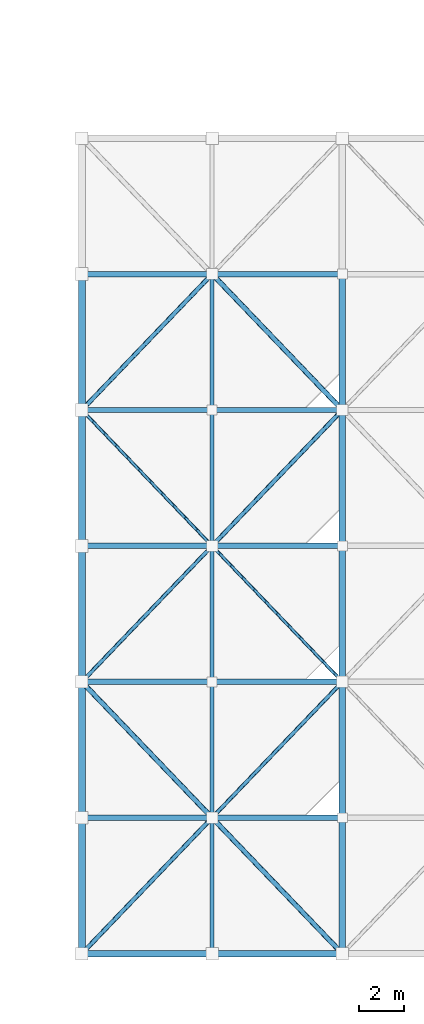
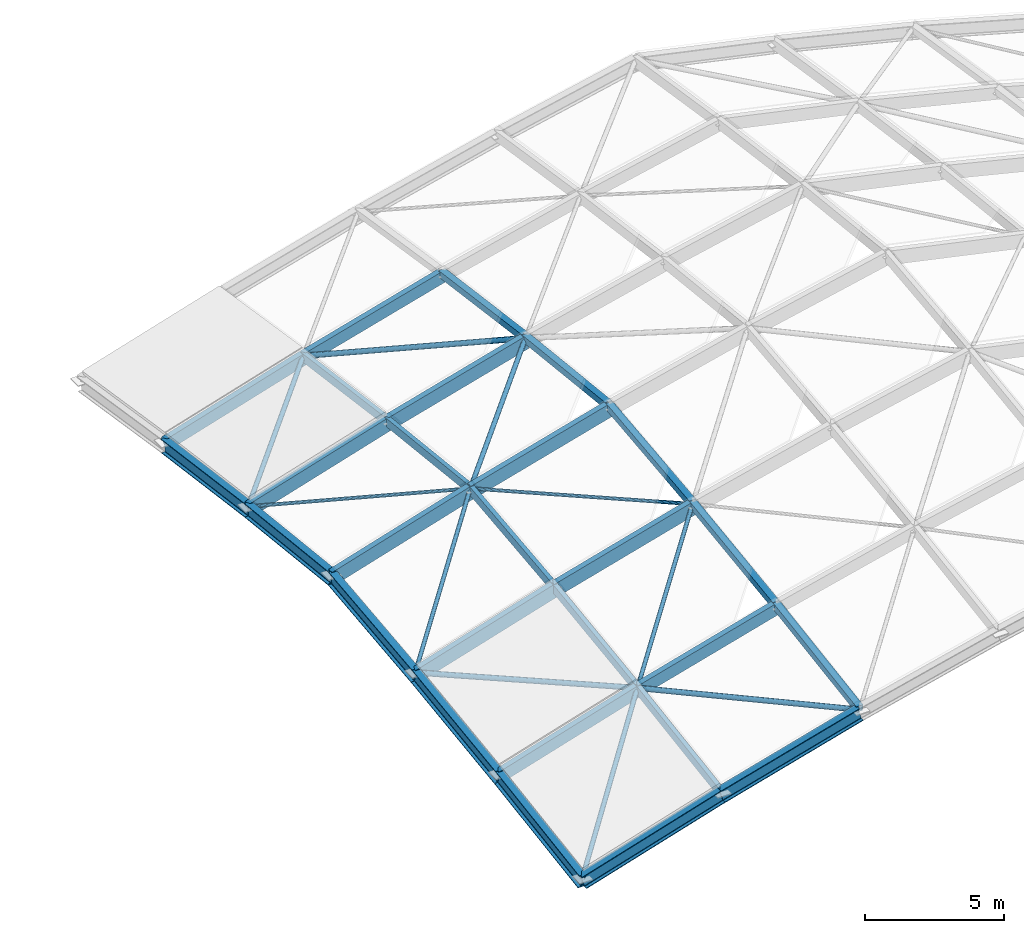
# One storey, part 6 of 62: 30 members, 7 beams.
"""IFC4 building model written with IfcOpenShell, lengths in metres."""

from ifc_helpers import new_model, si_unit, direction, frame, origin, origin_2d, place, context, subcontext, project, spatial, rectangle, hollow_circle, i_section, extrude, material, material_profile, profile_set, type_object, element, save


model = new_model("IFC4")

# Units and contexts
model_context = context("Model", 3, precision=1e-05, world=origin(), true_north=direction((0.0, 1.0)))
body_context = subcontext(model_context, "Body", "Model", "MODEL_VIEW")
ifc_project = project(units=[si_unit("LENGTHUNIT", "METRE"), si_unit("AREAUNIT", "SQUARE_METRE"), si_unit("VOLUMEUNIT", "CUBIC_METRE"), si_unit("PLANEANGLEUNIT", "RADIAN"), si_unit("MASSUNIT", "GRAM", prefix="KILO")], contexts=[model_context])

# Site, building, storey
site_placement = place(None, origin())
site = spatial("IfcSite", under=ifc_project, at=site_placement, CompositionType="ELEMENT")
building_placement = place(site_placement, origin())
building = spatial("IfcBuilding", under=site, at=building_placement, Name="Cymarion Research Institute", CompositionType="ELEMENT")
storey_placement = place(building_placement, frame((0.0, 0.0, 18.300048828125)))
storey = spatial("IfcBuildingStorey", under=building, at=storey_placement, Name="L04", CompositionType="ELEMENT", Elevation=18.300048828125)

# Beams
ifc_material_1 = material(Name="Steel S355", Category="steel")
ifc_material_profile_1 = material_profile(ifc_material_1, i_section(OverallWidth=0.300048828125, OverallDepth=0.60009765625, WebThickness=0.015380859375, FlangeThickness=0.030029296875, FilletRadius=0.027099609375, at=origin_2d()), Name="HEB 600")
ifc_profile_set_1 = profile_set([ifc_material_profile_1], Name="Steel S355")
beam_type = type_object("IfcBeamType", Name="SPANDREL BEAM SPB01 HEB 600", PredefinedType="SPANDREL", material=ifc_profile_set_1)
beam_1_placement = place(storey_placement, frame((56.60791015625, 5.5, -0.22216796875), z_axis=(0.955982073369, 0.0, 0.293425076294), x_axis=(0.0, 1.0, 0.0)))
element("IfcBeam", 1, at=beam_1_placement, inside=storey, type_object=beam_type, Name="Gridshell perimeter thrust ring beam X 1", PredefinedType="SPANDREL", context=body_context, shape_type="SweptSolid", body=[
    extrude(i_section(OverallWidth=0.300048828125, OverallDepth=0.60009765625, WebThickness=0.015380859375, FlangeThickness=0.030029296875, FilletRadius=0.027099609375, at=origin_2d()), origin(), (0.0, 0.0, 1.0), 5.998046875),
])
beam_2_placement = place(storey_placement, frame((62.35791015625, 5.5, 1.537841796875), z_axis=(0.963201733469, 0.0, 0.268779501901), x_axis=(0.0, 1.0, 0.0)))
element("IfcBeam", 2, at=beam_2_placement, inside=storey, type_object=beam_type, Name="Gridshell perimeter thrust ring beam X 2", PredefinedType="SPANDREL", context=body_context, shape_type="SweptSolid", body=[
    extrude(i_section(OverallWidth=0.300048828125, OverallDepth=0.60009765625, WebThickness=0.015380859375, FlangeThickness=0.030029296875, FilletRadius=0.027099609375, at=origin_2d()), origin(), (0.0, 0.0, 1.0), 5.953125),
])
beam_3_placement = place(storey_placement, frame((56.60009765625, 5.508056640625, -0.22216796875), z_axis=(0.0, 0.988132791738, 0.153602037394), x_axis=(-1.0, 0.0, 0.0)))
element("IfcBeam", 3, at=beam_3_placement, inside=storey, type_object=beam_type, Name="Gridshell perimeter thrust ring beam Y 1", PredefinedType="SPANDREL", context=body_context, shape_type="SweptSolid", body=[
    extrude(i_section(OverallWidth=0.300048828125, OverallDepth=0.60009765625, WebThickness=0.015380859375, FlangeThickness=0.030029296875, FilletRadius=0.027099609375, at=origin_2d()), origin(), (0.0, 0.0, 1.0), 6.0556640625),
])
beam_4_placement = place(storey_placement, frame((56.60009765625, 11.508056640625, 0.7080078125), z_axis=(0.0, 0.990961079514, 0.134149688365), x_axis=(-1.0, 0.0, 0.0)))
element("IfcBeam", 4, at=beam_4_placement, inside=storey, type_object=beam_type, Name="Gridshell perimeter thrust ring beam Y 2", PredefinedType="SPANDREL", context=body_context, shape_type="SweptSolid", body=[
    extrude(i_section(OverallWidth=0.300048828125, OverallDepth=0.60009765625, WebThickness=0.015380859375, FlangeThickness=0.030029296875, FilletRadius=0.027099609375, at=origin_2d()), origin(), (0.0, 0.0, 1.0), 6.03857421875),
])
for number, where, z_axis, x_axis, name in (
    (5, (56.60009765625, 17.508056640625, 1.51806640625), (0.0, 0.993973905132, 0.10961695086), (-1.0, 0.0, 0.0), "Gridshell perimeter thrust ring beam Y 3"),
    (6, (56.60009765625, 23.508056640625, 2.177978515625), (0.0, 0.993973905132, -0.10961695086), (-1.0, 0.0, 0.0), "Gridshell perimeter thrust ring beam Y 4"),
):
    element("IfcBeam", number, at=place(storey_placement, frame(where, z_axis=z_axis, x_axis=x_axis)), inside=storey, type_object=beam_type, Name=name, PredefinedType="SPANDREL", context=body_context, shape_type="SweptSolid", body=[
        extrude(i_section(OverallWidth=0.300048828125, OverallDepth=0.60009765625, WebThickness=0.015380859375, FlangeThickness=0.030029296875, FilletRadius=0.027099609375, at=origin_2d()), origin(), (0.0, 0.0, 1.0), 6.020263671875),
    ])
beam_5_placement = place(storey_placement, frame((56.60009765625, 29.508056640625, 1.51806640625), z_axis=(0.0, 0.990961079514, -0.134149688365), x_axis=(-1.0, 0.0, 0.0)))
element("IfcBeam", 7, at=beam_5_placement, inside=storey, type_object=beam_type, Name="Gridshell perimeter thrust ring beam Y 5", PredefinedType="SPANDREL", context=body_context, shape_type="SweptSolid", body=[
    extrude(i_section(OverallWidth=0.300048828125, OverallDepth=0.60009765625, WebThickness=0.015380859375, FlangeThickness=0.030029296875, FilletRadius=0.027099609375, at=origin_2d()), origin(), (0.0, 0.0, 1.0), 6.03857421875),
])

# Members
ifc_material_profile_2 = material_profile(ifc_material_1, hollow_circle(Radius=0.096923828125, WallThickness=0.010009765625, at=origin_2d()), Name="CHS 193.7x10")
ifc_profile_set_2 = profile_set([ifc_material_profile_2], Name="Steel S355")
member_type_1 = type_object("IfcMemberType", Name="STRUCTURAL MEMBER BR01 CHS 193.7x10", PredefinedType="BRACE", material=ifc_profile_set_2)
member_1_placement = place(storey_placement, frame((56.60986328125, 5.51025390625, -0.097412109375), z_axis=(0.658273683226, 0.686908910979, 0.307947894927), x_axis=(-0.721995568113, 0.691897680026, 0.0)))
element("IfcMember", 8, at=member_1_placement, inside=storey, type_object=member_type_1, Name="Gridshell tubular diagonal brace BR01 #83", PredefinedType="BRACE", context=body_context, shape_type="SweptSolid", body=[
    extrude(hollow_circle(Radius=0.096923828125, WallThickness=0.010009765625, at=origin_2d()), origin(), (0.0, 0.0, 1.0), 8.704833984375),
])
member_2_placement = place(storey_placement, frame((56.6103515625, 29.5107421875, 1.6396484375), z_axis=(0.687418638492, 0.717326783116, 0.113568929196), x_axis=(-0.721998024065, 0.69189511723, 0.0)))
element("IfcMember", 9, at=member_2_placement, inside=storey, type_object=member_type_1, Name="Gridshell tubular diagonal brace BR01 #87", PredefinedType="BRACE", context=body_context, shape_type="SweptSolid", body=[
    extrude(hollow_circle(Radius=0.096923828125, WallThickness=0.010009765625, at=origin_2d()), origin(), (0.0, 0.0, 1.0), 8.33447265625),
])
member_3_placement = place(storey_placement, frame((62.3603515625, 23.5107421875, 4.0595703125), z_axis=(0.687509660129, 0.717421764914, 0.112412092126), x_axis=(-0.721998024065, 0.69189511723, 0.0)))
element("IfcMember", 10, at=member_3_placement, inside=storey, type_object=member_type_1, Name="Gridshell tubular diagonal brace BR01 #92", PredefinedType="BRACE", context=body_context, shape_type="SweptSolid", body=[
    extrude(hollow_circle(Radius=0.096923828125, WallThickness=0.010009765625, at=origin_2d()), origin(), (0.0, 0.0, 1.0), 8.333251953125),
])
ifc_material_profile_3 = material_profile(ifc_material_1, hollow_circle(Radius=0.109619140625, WallThickness=0.010009765625, at=origin_2d()), Name="CHS 219.1x10")
ifc_profile_set_3 = profile_set([ifc_material_profile_3], Name="Steel S355")
member_type_2 = type_object("IfcMemberType", Name="STRUCTURAL MEMBER BR02 CHS 219.1x10", PredefinedType="BRACE", material=ifc_profile_set_3)
member_4_placement = place(storey_placement, frame((62.339599609375, 11.5107421875, 2.586181640625), z_axis=(-0.687418638492, 0.717326783116, -0.113568929196), x_axis=(-0.721998024065, -0.69189511723, 0.0)))
element("IfcMember", 11, at=member_4_placement, inside=storey, type_object=member_type_2, Name="Gridshell tubular diagonal brace BR02 #84", PredefinedType="BRACE", context=body_context, shape_type="SweptSolid", body=[
    extrude(hollow_circle(Radius=0.109619140625, WallThickness=0.010009765625, at=origin_2d()), origin(), (0.0, 0.0, 1.0), 8.33447265625),
])
member_5_placement = place(storey_placement, frame((68.089599609375, 5.5107421875, 3.2568359375), z_axis=(-0.689656506381, 0.719662015948, -0.080377148547), x_axis=(-0.721998024065, -0.69189511723, 0.0)))
element("IfcMember", 12, at=member_5_placement, inside=storey, type_object=member_type_2, Name="Gridshell tubular diagonal brace BR02 #89", PredefinedType="BRACE", context=body_context, shape_type="SweptSolid", body=[
    extrude(hollow_circle(Radius=0.109619140625, WallThickness=0.010009765625, at=origin_2d()), origin(), (0.0, 0.0, 1.0), 8.307373046875),
])
member_6_placement = place(storey_placement, frame((68.090087890625, 29.510498046875, 4.99365234375), z_axis=(-0.664531948768, 0.693412331714, -0.278525810823), x_axis=(-0.721982068835, -0.691911766254, 0.0)))
element("IfcMember", 13, at=member_6_placement, inside=storey, type_object=member_type_2, Name="Gridshell tubular diagonal brace BR02 #93", PredefinedType="BRACE", context=body_context, shape_type="SweptSolid", body=[
    extrude(hollow_circle(Radius=0.109619140625, WallThickness=0.010009765625, at=origin_2d()), origin(), (0.0, 0.0, 1.0), 8.62255859375),
])
ifc_material_profile_4 = material_profile(ifc_material_1, hollow_circle(Radius=0.084228515625, WallThickness=0.008056640625, at=origin_2d()), Name="CHS 168.3x8")
ifc_profile_set_4 = profile_set([ifc_material_profile_4], Name="Steel S355")
member_type_3 = type_object("IfcMemberType", Name="STRUCTURAL MEMBER BR05 CHS 168.3x8", PredefinedType="BRACE", material=ifc_profile_set_4)
member_7_placement = place(storey_placement, frame((56.610107421875, 17.510498046875, 1.64208984375), z_axis=(0.66431673946, 0.693187769467, 0.27959611216), x_axis=(-0.721982068835, 0.691911766254, 0.0)))
element("IfcMember", 14, at=member_7_placement, inside=storey, type_object=member_type_3, Name="Gridshell tubular diagonal brace BR05 #85", PredefinedType="BRACE", context=body_context, shape_type="SweptSolid", body=[
    extrude(hollow_circle(Radius=0.084228515625, WallThickness=0.008056640625, at=origin_2d()), origin(), (0.0, 0.0, 1.0), 8.62548828125),
])
member_8_placement = place(storey_placement, frame((62.360107421875, 11.510498046875, 2.592041015625), z_axis=(0.664531948768, 0.693412331714, 0.278525810823), x_axis=(-0.721982068835, 0.691911766254, 0.0)))
element("IfcMember", 15, at=member_8_placement, inside=storey, type_object=member_type_3, Name="Gridshell tubular diagonal brace BR05 #90", PredefinedType="BRACE", context=body_context, shape_type="SweptSolid", body=[
    extrude(hollow_circle(Radius=0.084228515625, WallThickness=0.008056640625, at=origin_2d()), origin(), (0.0, 0.0, 1.0), 8.62255859375),
])
ifc_material_profile_5 = material_profile(ifc_material_1, hollow_circle(Radius=0.06982421875, WallThickness=0.008056640625, at=origin_2d()), Name="CHS 139.7x8")
ifc_profile_set_5 = profile_set([ifc_material_profile_5], Name="Steel S355")
member_type_4 = type_object("IfcMemberType", Name="STRUCTURAL MEMBER BR06 CHS 139.7x8", PredefinedType="BRACE", material=ifc_profile_set_5)
member_9_placement = place(storey_placement, frame((62.340087890625, 23.510498046875, 4.0537109375), z_axis=(-0.66431673946, 0.693187769467, -0.27959611216), x_axis=(-0.721982068835, -0.691911766254, 0.0)))
element("IfcMember", 16, at=member_9_placement, inside=storey, type_object=member_type_4, Name="Gridshell tubular diagonal brace BR06 #86", PredefinedType="BRACE", context=body_context, shape_type="SweptSolid", body=[
    extrude(hollow_circle(Radius=0.06982421875, WallThickness=0.008056640625, at=origin_2d()), origin(), (0.0, 0.0, 1.0), 8.62548828125),
])
member_10_placement = place(storey_placement, frame((68.089599609375, 17.5107421875, 4.996337890625), z_axis=(-0.687509660129, 0.717421764914, -0.112412092126), x_axis=(-0.721998024065, -0.69189511723, 0.0)))
element("IfcMember", 17, at=member_10_placement, inside=storey, type_object=member_type_4, Name="Gridshell tubular diagonal brace BR06 #91", PredefinedType="BRACE", context=body_context, shape_type="SweptSolid", body=[
    extrude(hollow_circle(Radius=0.06982421875, WallThickness=0.008056640625, at=origin_2d()), origin(), (0.0, 0.0, 1.0), 8.333251953125),
])
ifc_material_2 = material(Name="Glulam GL28h", Category="wood")
ifc_material_profile_6 = material_profile(ifc_material_2, rectangle(XDim=0.239990234375, YDim=0.60009765625, at=origin_2d()), Name="GL28h 240x600")
ifc_profile_set_6 = profile_set([ifc_material_profile_6], Name="Glulam GL28h")
member_type_5 = type_object("IfcMemberType", Name="STRUCTURAL MEMBER GR01 GL28h 240x600", PredefinedType="CHORD", material=ifc_profile_set_6)
member_11_placement = place(storey_placement, frame((56.60791015625, 17.5, 1.51806640625), z_axis=(0.955993490233, 0.0, 0.293387877447), x_axis=(0.0, 1.0, 0.0)))
element("IfcMember", 18, at=member_11_placement, inside=storey, type_object=member_type_5, Name="Gridshell glulam longitudinal rib GR01 #9", PredefinedType="CHORD", context=body_context, shape_type="SweptSolid", body=[
    extrude(rectangle(XDim=0.239990234375, YDim=0.60009765625, at=origin_2d()), origin(), (0.0, 0.0, 1.0), 5.998046875),
])
member_12_placement = place(storey_placement, frame((62.35791015625, 17.5, 3.27783203125), z_axis=(0.963201733469, 0.0, 0.268779501901), x_axis=(0.0, 1.0, 0.0)))
element("IfcMember", 19, at=member_12_placement, inside=storey, type_object=member_type_5, Name="Gridshell glulam longitudinal rib GR01 #10", PredefinedType="CHORD", context=body_context, shape_type="SweptSolid", body=[
    extrude(rectangle(XDim=0.239990234375, YDim=0.60009765625, at=origin_2d()), origin(), (0.0, 0.0, 1.0), 5.953125),
])
member_13_placement = place(storey_placement, frame((56.60791015625, 23.5, 2.177978515625), z_axis=(0.955982073369, 0.0, 0.293425076294), x_axis=(0.0, 1.0, 0.0)))
element("IfcMember", 20, at=member_13_placement, inside=storey, type_object=member_type_5, Name="Gridshell glulam longitudinal rib GR01 #17", PredefinedType="CHORD", context=body_context, shape_type="SweptSolid", body=[
    extrude(rectangle(XDim=0.239990234375, YDim=0.60009765625, at=origin_2d()), origin(), (0.0, 0.0, 1.0), 5.998046875),
])
member_14_placement = place(storey_placement, frame((62.35791015625, 23.5, 3.93798828125), z_axis=(0.963212349866, 0.0, 0.268741453939), x_axis=(0.0, 1.0, 0.0)))
element("IfcMember", 21, at=member_14_placement, inside=storey, type_object=member_type_5, Name="Gridshell glulam longitudinal rib GR01 #18", PredefinedType="CHORD", context=body_context, shape_type="SweptSolid", body=[
    extrude(rectangle(XDim=0.239990234375, YDim=0.60009765625, at=origin_2d()), origin(), (0.0, 0.0, 1.0), 5.953125),
])
member_15_placement = place(storey_placement, frame((56.60791015625, 29.5, 1.51806640625), z_axis=(0.955993490233, 0.0, 0.293387877447), x_axis=(0.0, 1.0, 0.0)))
element("IfcMember", 22, at=member_15_placement, inside=storey, type_object=member_type_5, Name="Gridshell glulam longitudinal rib GR01 #25", PredefinedType="CHORD", context=body_context, shape_type="SweptSolid", body=[
    extrude(rectangle(XDim=0.239990234375, YDim=0.60009765625, at=origin_2d()), origin(), (0.0, 0.0, 1.0), 5.998046875),
])
member_16_placement = place(storey_placement, frame((62.35791015625, 29.5, 3.27783203125), z_axis=(0.963201733469, 0.0, 0.268779501901), x_axis=(0.0, 1.0, 0.0)))
element("IfcMember", 23, at=member_16_placement, inside=storey, type_object=member_type_5, Name="Gridshell glulam longitudinal rib GR01 #26", PredefinedType="CHORD", context=body_context, shape_type="SweptSolid", body=[
    extrude(rectangle(XDim=0.239990234375, YDim=0.60009765625, at=origin_2d()), origin(), (0.0, 0.0, 1.0), 5.953125),
])
ifc_material_profile_7 = material_profile(ifc_material_2, rectangle(XDim=0.239990234375, YDim=0.52001953125, at=origin_2d()), Name="GL28h 240x520")
ifc_profile_set_7 = profile_set([ifc_material_profile_7], Name="Glulam GL28h")
member_type_6 = type_object("IfcMemberType", Name="STRUCTURAL MEMBER GR02 GL28h 240x520", PredefinedType="CHORD", material=ifc_profile_set_7)
member_17_placement = place(storey_placement, frame((56.60791015625, 11.5, 0.748046875), z_axis=(0.955982073369, 0.0, 0.293425076294), x_axis=(0.0, 1.0, 0.0)))
element("IfcMember", 24, at=member_17_placement, inside=storey, type_object=member_type_6, Name="Gridshell glulam longitudinal rib GR02 #1", PredefinedType="CHORD", context=body_context, shape_type="SweptSolid", body=[
    extrude(rectangle(XDim=0.239990234375, YDim=0.52001953125, at=origin_2d()), origin(), (0.0, 0.0, 1.0), 5.998046875),
])
member_18_placement = place(storey_placement, frame((62.35791015625, 11.5, 2.508056640625), z_axis=(0.963212349866, 0.0, 0.268741453939), x_axis=(0.0, 1.0, 0.0)))
element("IfcMember", 25, at=member_18_placement, inside=storey, type_object=member_type_6, Name="Gridshell glulam longitudinal rib GR02 #2", PredefinedType="CHORD", context=body_context, shape_type="SweptSolid", body=[
    extrude(rectangle(XDim=0.239990234375, YDim=0.52001953125, at=origin_2d()), origin(), (0.0, 0.0, 1.0), 5.953125),
])
member_19_placement = place(storey_placement, frame((56.60791015625, 35.5, 0.748046875), z_axis=(0.955982073369, 0.0, 0.293425076294), x_axis=(0.0, 1.0, 0.0)))
element("IfcMember", 26, at=member_19_placement, inside=storey, type_object=member_type_6, Name="Gridshell glulam longitudinal rib GR02 #33", PredefinedType="CHORD", context=body_context, shape_type="SweptSolid", body=[
    extrude(rectangle(XDim=0.239990234375, YDim=0.52001953125, at=origin_2d()), origin(), (0.0, 0.0, 1.0), 5.998046875),
])
member_20_placement = place(storey_placement, frame((62.35791015625, 35.5, 2.508056640625), z_axis=(0.963212349866, 0.0, 0.268741453939), x_axis=(0.0, 1.0, 0.0)))
element("IfcMember", 27, at=member_20_placement, inside=storey, type_object=member_type_6, Name="Gridshell glulam longitudinal rib GR02 #34", PredefinedType="CHORD", context=body_context, shape_type="SweptSolid", body=[
    extrude(rectangle(XDim=0.239990234375, YDim=0.52001953125, at=origin_2d()), origin(), (0.0, 0.0, 1.0), 5.953125),
])
ifc_material_profile_8 = material_profile(ifc_material_2, rectangle(XDim=0.179931640625, YDim=0.360107421875, at=origin_2d()), Name="GL28h 180x360")
ifc_profile_set_8 = profile_set([ifc_material_profile_8], Name="Glulam GL28h")
member_type_7 = type_object("IfcMemberType", Name="STRUCTURAL MEMBER GR04 GL28h 180x360", PredefinedType="PURLIN", material=ifc_profile_set_8)
member_21_placement = place(storey_placement, frame((62.35009765625, 5.508056640625, 1.657958984375), z_axis=(0.0, 0.988138910046, 0.15356267272), x_axis=(-1.0, 0.0, 0.0)))
element("IfcMember", 28, at=member_21_placement, inside=storey, type_object=member_type_7, Name="Gridshell glulam transverse purlin GR04 #41", PredefinedType="PURLIN", context=body_context, shape_type="SweptSolid", body=[
    extrude(rectangle(XDim=0.179931640625, YDim=0.360107421875, at=origin_2d()), origin(), (0.0, 0.0, 1.0), 6.0556640625),
])
member_22_placement = place(storey_placement, frame((62.35009765625, 11.508056640625, 2.587890625), z_axis=(0.0, 0.990961079514, 0.134149688365), x_axis=(-1.0, 0.0, 0.0)))
element("IfcMember", 29, at=member_22_placement, inside=storey, type_object=member_type_7, Name="Gridshell glulam transverse purlin GR04 #42", PredefinedType="PURLIN", context=body_context, shape_type="SweptSolid", body=[
    extrude(rectangle(XDim=0.179931640625, YDim=0.360107421875, at=origin_2d()), origin(), (0.0, 0.0, 1.0), 6.03857421875),
])
for number, where, z_axis, x_axis, name in (
    (30, (62.35009765625, 17.508056640625, 3.39794921875), (0.0, 0.993973905132, 0.10961695086), (-1.0, 0.0, 0.0), "Gridshell glulam transverse purlin GR04 #43"),
    (31, (62.35009765625, 23.508056640625, 4.057861328125), (0.0, 0.993973905132, -0.10961695086), (-1.0, 0.0, 0.0), "Gridshell glulam transverse purlin GR04 #44"),
):
    element("IfcMember", number, at=place(storey_placement, frame(where, z_axis=z_axis, x_axis=x_axis)), inside=storey, type_object=member_type_7, Name=name, PredefinedType="PURLIN", context=body_context, shape_type="SweptSolid", body=[
        extrude(rectangle(XDim=0.179931640625, YDim=0.360107421875, at=origin_2d()), origin(), (0.0, 0.0, 1.0), 6.020263671875),
    ])
member_23_placement = place(storey_placement, frame((62.35009765625, 29.508056640625, 3.39794921875), z_axis=(0.0, 0.990961079514, -0.134149688365), x_axis=(-1.0, 0.0, 0.0)))
element("IfcMember", 32, at=member_23_placement, inside=storey, type_object=member_type_7, Name="Gridshell glulam transverse purlin GR04 #45", PredefinedType="PURLIN", context=body_context, shape_type="SweptSolid", body=[
    extrude(rectangle(XDim=0.179931640625, YDim=0.360107421875, at=origin_2d()), origin(), (0.0, 0.0, 1.0), 6.03857421875),
])
ifc_material_profile_9 = material_profile(ifc_material_2, rectangle(XDim=0.280029296875, YDim=0.280029296875, at=origin_2d()), Name="GL28h 280x280")
ifc_profile_set_9 = profile_set([ifc_material_profile_9], Name="Glulam GL28h")
member_type_8 = type_object("IfcMemberType", Name="STRUCTURAL MEMBER GR05 GL28h 280x280", PredefinedType="PURLIN", material=ifc_profile_set_9)
member_24_placement = place(storey_placement, frame((68.10009765625, 5.508056640625, 3.2978515625), z_axis=(0.0, 0.988132791738, 0.153602037394), x_axis=(-1.0, 0.0, 0.0)))
element("IfcMember", 33, at=member_24_placement, inside=storey, type_object=member_type_8, Name="Gridshell glulam transverse purlin GR05 #47", PredefinedType="PURLIN", context=body_context, shape_type="SweptSolid", body=[
    extrude(rectangle(XDim=0.280029296875, YDim=0.280029296875, at=origin_2d()), origin(), (0.0, 0.0, 1.0), 6.0556640625),
])
member_25_placement = place(storey_placement, frame((68.10009765625, 11.508056640625, 4.22802734375), z_axis=(0.0, 0.990966453514, 0.134109984753), x_axis=(-1.0, 0.0, 0.0)))
element("IfcMember", 34, at=member_25_placement, inside=storey, type_object=member_type_8, Name="Gridshell glulam transverse purlin GR05 #48", PredefinedType="PURLIN", context=body_context, shape_type="SweptSolid", body=[
    extrude(rectangle(XDim=0.280029296875, YDim=0.280029296875, at=origin_2d()), origin(), (0.0, 0.0, 1.0), 6.038330078125),
])
for number, where, z_axis, x_axis, name in (
    (35, (68.10009765625, 17.508056640625, 5.037841796875), (0.0, 0.993969485748, 0.109657017114), (-1.0, 0.0, 0.0), "Gridshell glulam transverse purlin GR05 #49"),
    (36, (68.10009765625, 23.508056640625, 5.697998046875), (0.0, 0.993969485748, -0.109657017114), (-1.0, 0.0, 0.0), "Gridshell glulam transverse purlin GR05 #50"),
):
    element("IfcMember", number, at=place(storey_placement, frame(where, z_axis=z_axis, x_axis=x_axis)), inside=storey, type_object=member_type_8, Name=name, PredefinedType="PURLIN", context=body_context, shape_type="SweptSolid", body=[
        extrude(rectangle(XDim=0.280029296875, YDim=0.280029296875, at=origin_2d()), origin(), (0.0, 0.0, 1.0), 6.020263671875),
    ])
member_26_placement = place(storey_placement, frame((68.10009765625, 29.508056640625, 5.037841796875), z_axis=(0.0, 0.990966453514, -0.134109984753), x_axis=(-1.0, 0.0, 0.0)))
element("IfcMember", 37, at=member_26_placement, inside=storey, type_object=member_type_8, Name="Gridshell glulam transverse purlin GR05 #51", PredefinedType="PURLIN", context=body_context, shape_type="SweptSolid", body=[
    extrude(rectangle(XDim=0.280029296875, YDim=0.280029296875, at=origin_2d()), origin(), (0.0, 0.0, 1.0), 6.038330078125),
])

save(model, "model.ifc")
